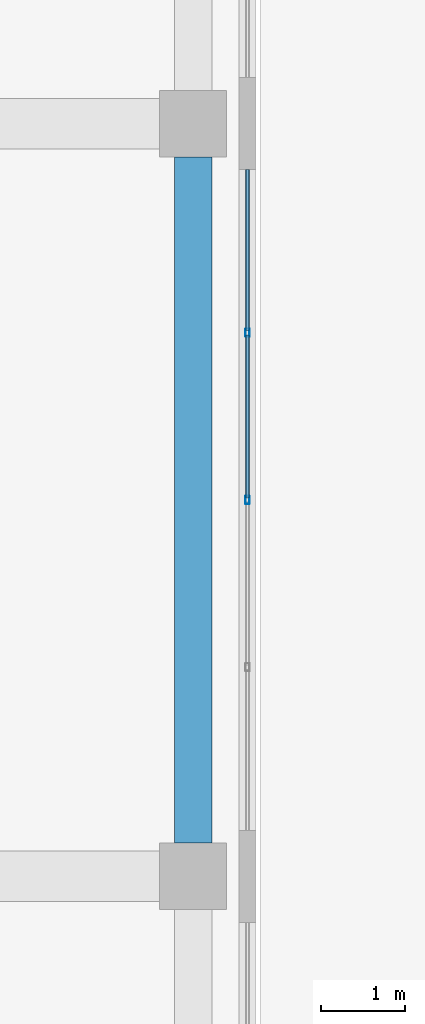
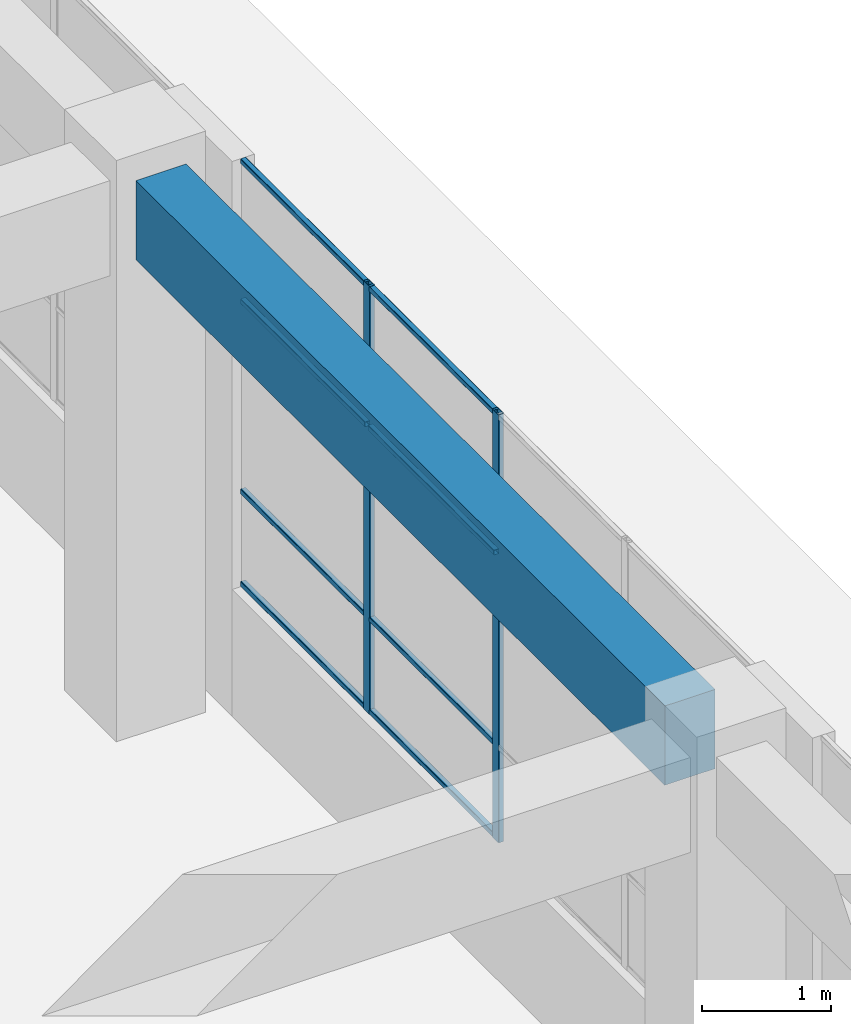
# One storey, part 38 of 72: 10 members, 1 beam, 1 element without a shape of its own.
"""IFC4 building model written with IfcOpenShell, lengths in metres."""

from ifc_helpers import new_model, si_unit, direction, frame, origin, origin_2d, place, context, subcontext, project, spatial, rectangle, hollow_rectangle, extrude, material, layer, layer_set, material_profile, profile_set, type_object, element, aggregate, save


model = new_model("IFC4")

# Units and contexts
model_context = context("Model", 3, precision=1e-05, world=origin(), true_north=direction((0.0, 1.0)))
body_context = subcontext(model_context, "Body", "Model", "MODEL_VIEW")
ifc_project = project(units=[si_unit("LENGTHUNIT", "METRE"), si_unit("AREAUNIT", "SQUARE_METRE"), si_unit("VOLUMEUNIT", "CUBIC_METRE"), si_unit("PLANEANGLEUNIT", "RADIAN"), si_unit("MASSUNIT", "GRAM", prefix="KILO")], contexts=[model_context])

# Site, building, storey
site_placement = place(None, origin())
site = spatial("IfcSite", under=ifc_project, at=site_placement, CompositionType="ELEMENT")
building_placement = place(site_placement, origin())
building = spatial("IfcBuilding", under=site, at=building_placement, Name="Tuart Plaza Theatre", CompositionType="ELEMENT")
storey_placement = place(building_placement, origin())
storey = spatial("IfcBuildingStorey", under=building, at=storey_placement, Name="L00", CompositionType="ELEMENT", Elevation=0.0)

# Beam
ifc_material_1 = material(Name="Concrete N40 (40 MPa)", Category="concrete")
ifc_material_profile_1 = material_profile(ifc_material_1, rectangle(XDim=0.449951171875, YDim=0.75, at=origin_2d()), Name="BEAM 450x750 Concrete N40 (40 MPa)")
ifc_profile_set_1 = profile_set([ifc_material_profile_1], Name="Concrete N40 (40 MPa)")
beam_type = type_object("IfcBeamType", Name="BEAM 450x750 Concrete N40 (40 MPa)", PredefinedType="BEAM", material=ifc_profile_set_1)
beam_placement = place(storey_placement, frame((150.0, 74.39990234375, 4.875), z_axis=(0.0, 1.0, 0.0), x_axis=(-1.0, 0.0, 0.0)))
element("IfcBeam", 1, at=beam_placement, inside=storey, type_object=beam_type, Name="RB160", PredefinedType="BEAM", context=body_context, shape_type="SweptSolid", body=[
    extrude(rectangle(XDim=0.449951171875, YDim=0.75, at=origin_2d()), origin(), (0.0, 0.0, 1.0), 8.2001953125),
])

# Curtain wall, members
ifc_material_2 = material(Name="Aluminium and glass", Category="aluminium")
ifc_layer = layer(ifc_material_2, 0.10009765625)
ifc_layer_set = layer_set([ifc_layer], Name="CURTAIN WALL 2000 module")
curtain_wall_type = type_object("IfcCurtainWallType", Name="CURTAIN WALL 2000 module", PredefinedType="NOTDEFINED", material=ifc_layer_set)
curtain_wall_placement = place(storey_placement, origin())
curtain_wall = element("IfcCurtainWall", 2, at=curtain_wall_placement, inside=storey, type_object=curtain_wall_type, Name="CW50", PredefinedType="NOTDEFINED")
ifc_material_3 = material(Name="Aluminium 6063-T5", Category="aluminium")
ifc_material_profile_2 = material_profile(ifc_material_3, hollow_rectangle(XDim=0.050048828125, YDim=0.10009765625, WallThickness=0.00390625, InnerFilletRadius=0.00390625, OuterFilletRadius=0.008056640625, at=origin_2d()), Name="RHS 100x50x4")
ifc_profile_set_2 = profile_set([ifc_material_profile_2], Name="Aluminium 6063-T5")
member_type_1 = type_object("IfcMemberType", Name="MULLION RHS 100x50x4", PredefinedType="MULLION", material=ifc_profile_set_2)
member_1_placement = place(storey_placement, frame((150.64990234375, 78.5, 1.199951171875), z_axis=(0.0, 0.0, 1.0), x_axis=(-1.0, 0.0, 0.0)))
member_1 = element("IfcMember", 3, at=member_1_placement, type_object=member_type_1, Name="CW50 mullion 3", PredefinedType="MULLION", context=body_context, shape_type="SweptSolid", body=[
    extrude(hollow_rectangle(XDim=0.050048828125, YDim=0.10009765625, WallThickness=0.00390625, InnerFilletRadius=0.00390625, OuterFilletRadius=0.008056640625, at=origin_2d()), origin(), (0.0, 0.0, 1.0), 4.050048828125),
])
member_2_placement = place(storey_placement, frame((150.64990234375, 80.5, 1.199951171875), z_axis=(0.0, 0.0, 1.0), x_axis=(-1.0, 0.0, 0.0)))
member_2 = element("IfcMember", 4, at=member_2_placement, type_object=member_type_1, Name="CW50 mullion 4", PredefinedType="MULLION", context=body_context, shape_type="SweptSolid", body=[
    extrude(hollow_rectangle(XDim=0.050048828125, YDim=0.10009765625, WallThickness=0.00390625, InnerFilletRadius=0.00390625, OuterFilletRadius=0.008056640625, at=origin_2d()), origin(), (0.0, 0.0, 1.0), 4.050048828125),
])
ifc_material_4 = material(Name="Aluminium 6063-T5", Category="aluminium")
ifc_material_profile_3 = material_profile(ifc_material_4, hollow_rectangle(XDim=0.050048828125, YDim=0.050048828125, WallThickness=0.00390625, InnerFilletRadius=0.00390625, OuterFilletRadius=0.008056640625, at=origin_2d()), Name="RHS 50x50x4")
ifc_profile_set_3 = profile_set([ifc_material_profile_3], Name="Aluminium 6063-T5")
member_type_2 = type_object("IfcMemberType", Name="TRANSOM RHS 50x50x4", PredefinedType="USERDEFINED", material=ifc_profile_set_3)
member_3_placement = place(storey_placement, frame((150.64990234375, 78.52490234375, 1.22509765625), z_axis=(0.0, 1.0, 0.0), x_axis=(-1.0, 0.0, 0.0)))
member_3 = element("IfcMember", 5, at=member_3_placement, type_object=member_type_2, Name="CW50 transom 3.1", ObjectType="TRANSOM", PredefinedType="USERDEFINED", context=body_context, shape_type="SweptSolid", body=[
    extrude(hollow_rectangle(XDim=0.050048828125, YDim=0.050048828125, WallThickness=0.00390625, InnerFilletRadius=0.00390625, OuterFilletRadius=0.008056640625, at=origin_2d()), origin(), (0.0, 0.0, 1.0), 1.9501953125),
])
member_4_placement = place(storey_placement, frame((150.64990234375, 78.52490234375, 2.10009765625), z_axis=(0.0, 1.0, 0.0), x_axis=(-1.0, 0.0, 0.0)))
member_4 = element("IfcMember", 6, at=member_4_placement, type_object=member_type_2, Name="CW50 transom 3.2", ObjectType="TRANSOM", PredefinedType="USERDEFINED", context=body_context, shape_type="SweptSolid", body=[
    extrude(hollow_rectangle(XDim=0.050048828125, YDim=0.050048828125, WallThickness=0.00390625, InnerFilletRadius=0.00390625, OuterFilletRadius=0.008056640625, at=origin_2d()), origin(), (0.0, 0.0, 1.0), 1.9501953125),
])
member_5_placement = place(storey_placement, frame((150.64990234375, 78.52490234375, 3.89990234375), z_axis=(0.0, 1.0, 0.0), x_axis=(-1.0, 0.0, 0.0)))
member_5 = element("IfcMember", 7, at=member_5_placement, type_object=member_type_2, Name="CW50 transom 3.3", ObjectType="TRANSOM", PredefinedType="USERDEFINED", context=body_context, shape_type="SweptSolid", body=[
    extrude(hollow_rectangle(XDim=0.050048828125, YDim=0.050048828125, WallThickness=0.00390625, InnerFilletRadius=0.00390625, OuterFilletRadius=0.008056640625, at=origin_2d()), origin(), (0.0, 0.0, 1.0), 1.9501953125),
])
member_6_placement = place(storey_placement, frame((150.64990234375, 78.52490234375, 5.22509765625), z_axis=(0.0, 1.0, 0.0), x_axis=(-1.0, 0.0, 0.0)))
member_6 = element("IfcMember", 8, at=member_6_placement, type_object=member_type_2, Name="CW50 transom 3.4", ObjectType="TRANSOM", PredefinedType="USERDEFINED", context=body_context, shape_type="SweptSolid", body=[
    extrude(hollow_rectangle(XDim=0.050048828125, YDim=0.050048828125, WallThickness=0.00390625, InnerFilletRadius=0.00390625, OuterFilletRadius=0.008056640625, at=origin_2d()), origin(), (0.0, 0.0, 1.0), 1.9501953125),
])
member_7_placement = place(storey_placement, frame((150.64990234375, 80.52490234375, 1.22509765625), z_axis=(0.0, 1.0, 0.0), x_axis=(-1.0, 0.0, 0.0)))
member_7 = element("IfcMember", 9, at=member_7_placement, type_object=member_type_2, Name="CW50 transom 4.1", ObjectType="TRANSOM", PredefinedType="USERDEFINED", context=body_context, shape_type="SweptSolid", body=[
    extrude(hollow_rectangle(XDim=0.050048828125, YDim=0.050048828125, WallThickness=0.00390625, InnerFilletRadius=0.00390625, OuterFilletRadius=0.008056640625, at=origin_2d()), origin(), (0.0, 0.0, 1.0), 1.925048828125),
])
member_8_placement = place(storey_placement, frame((150.64990234375, 80.52490234375, 2.10009765625), z_axis=(0.0, 1.0, 0.0), x_axis=(-1.0, 0.0, 0.0)))
member_8 = element("IfcMember", 10, at=member_8_placement, type_object=member_type_2, Name="CW50 transom 4.2", ObjectType="TRANSOM", PredefinedType="USERDEFINED", context=body_context, shape_type="SweptSolid", body=[
    extrude(hollow_rectangle(XDim=0.050048828125, YDim=0.050048828125, WallThickness=0.00390625, InnerFilletRadius=0.00390625, OuterFilletRadius=0.008056640625, at=origin_2d()), origin(), (0.0, 0.0, 1.0), 1.925048828125),
])
member_9_placement = place(storey_placement, frame((150.64990234375, 80.52490234375, 3.89990234375), z_axis=(0.0, 1.0, 0.0), x_axis=(-1.0, 0.0, 0.0)))
member_9 = element("IfcMember", 11, at=member_9_placement, type_object=member_type_2, Name="CW50 transom 4.3", ObjectType="TRANSOM", PredefinedType="USERDEFINED", context=body_context, shape_type="SweptSolid", body=[
    extrude(hollow_rectangle(XDim=0.050048828125, YDim=0.050048828125, WallThickness=0.00390625, InnerFilletRadius=0.00390625, OuterFilletRadius=0.008056640625, at=origin_2d()), origin(), (0.0, 0.0, 1.0), 1.925048828125),
])
member_10_placement = place(storey_placement, frame((150.64990234375, 80.52490234375, 5.22509765625), z_axis=(0.0, 1.0, 0.0), x_axis=(-1.0, 0.0, 0.0)))
member_10 = element("IfcMember", 12, at=member_10_placement, type_object=member_type_2, Name="CW50 transom 4.4", ObjectType="TRANSOM", PredefinedType="USERDEFINED", context=body_context, shape_type="SweptSolid", body=[
    extrude(hollow_rectangle(XDim=0.050048828125, YDim=0.050048828125, WallThickness=0.00390625, InnerFilletRadius=0.00390625, OuterFilletRadius=0.008056640625, at=origin_2d()), origin(), (0.0, 0.0, 1.0), 1.925048828125),
])
aggregate(curtain_wall, [member_1, member_2, member_3, member_4, member_5, member_6, member_7, member_8, member_9, member_10])

save(model, "model.ifc")
